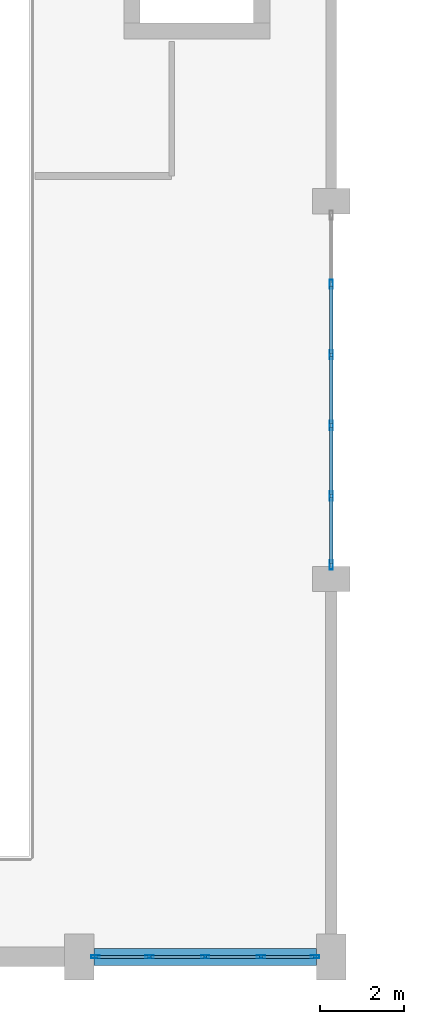
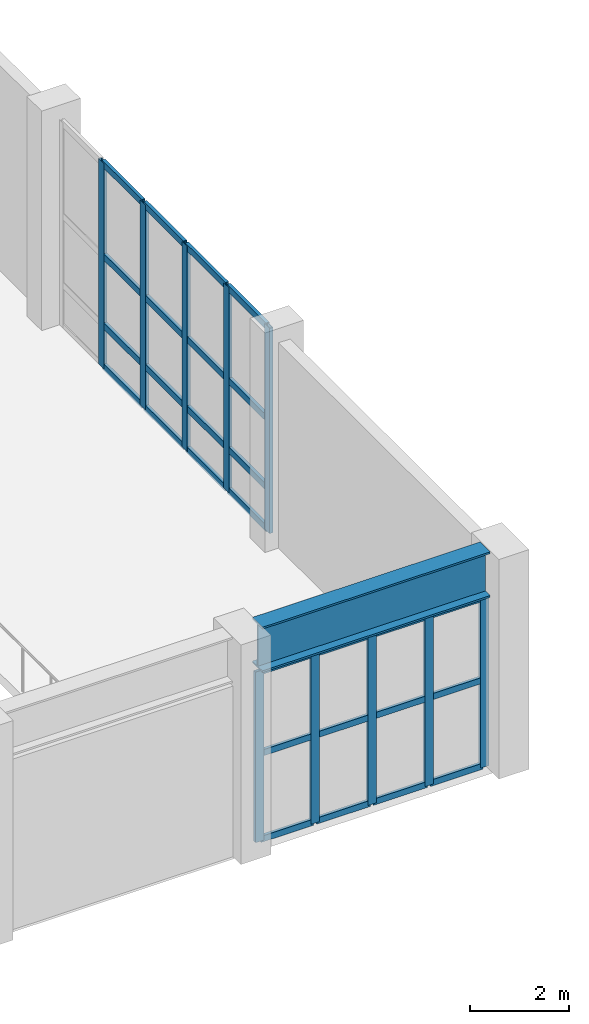
# One storey, part 11 of 41: 38 members, 1 beam, 2 elements without a shape of their own.
"""IFC4 building model written with IfcOpenShell, lengths in metres."""

from ifc_helpers import new_model, si_unit, direction, frame, origin, origin_2d, place, context, subcontext, project, spatial, hollow_rectangle, i_section, extrude, material, layer, layer_set, material_profile, profile_set, type_object, element, aggregate, save


model = new_model("IFC4")

# Units and contexts
model_context = context("Model", 3, precision=1e-05, world=origin(), true_north=direction((0.0, 1.0)))
body_context = subcontext(model_context, "Body", "Model", "MODEL_VIEW")
ifc_project = project(units=[si_unit("LENGTHUNIT", "METRE"), si_unit("AREAUNIT", "SQUARE_METRE"), si_unit("VOLUMEUNIT", "CUBIC_METRE"), si_unit("PLANEANGLEUNIT", "RADIAN"), si_unit("MASSUNIT", "GRAM", prefix="KILO")], contexts=[model_context])

# Site, building, storey
site_placement = place(None, origin())
site = spatial("IfcSite", under=ifc_project, at=site_placement, CompositionType="ELEMENT")
building_placement = place(site_placement, origin())
building = spatial("IfcBuilding", under=site, at=building_placement, Name="Vaelkrest Opera House", CompositionType="ELEMENT")
storey_placement = place(building_placement, frame((0.0, 0.0, 24.60009765625)))
storey = spatial("IfcBuildingStorey", under=building, at=storey_placement, Name="L05", CompositionType="ELEMENT", Elevation=24.60009765625)

# Curtain wall, members
ifc_material_1 = material(Name="Dark bronze anodized aluminium", Category="aluminium")
ifc_layer_1 = layer(ifc_material_1, 0.18994140625)
ifc_layer_set_1 = layer_set([ifc_layer_1], Name="Dark bronze anodized aluminium")
curtain_wall_type_1 = type_object("IfcCurtainWallType", Name="CW02", PredefinedType="NOTDEFINED", material=ifc_layer_set_1)
curtain_wall_1_placement = place(storey_placement, origin())
curtain_wall_1 = element("IfcCurtainWall", 1, at=curtain_wall_1_placement, inside=storey, type_object=curtain_wall_type_1, Name="Curtain wall CW-L05-068", PredefinedType="NOTDEFINED")
ifc_material_profile_1 = material_profile(ifc_material_1, hollow_rectangle(XDim=0.070068359375, YDim=0.199951171875, WallThickness=0.004150390625, at=origin_2d()), Name="CWM70X200")
ifc_profile_set_1 = profile_set([ifc_material_profile_1], Name="Dark bronze anodized aluminium")
member_type_1 = type_object("IfcMemberType", Name="CWM02", PredefinedType="MULLION", material=ifc_profile_set_1)
member_1_placement = place(storey_placement, frame((29.616943359375, -55.800048828125, 0.0), z_axis=(0.0, 0.0, 1.0), x_axis=(0.0, -1.0, 0.0)))
member_1 = element("IfcMember", 2, at=member_1_placement, type_object=member_type_1, Name="CW02 mullion 1", PredefinedType="MULLION", context=body_context, shape_type="SweptSolid", body=[
    extrude(hollow_rectangle(XDim=0.070068359375, YDim=0.199951171875, WallThickness=0.004150390625, at=origin_2d()), origin(), (0.0, 0.0, 1.0), 4.197021484375),
])
member_2_placement = place(storey_placement, frame((28.325927734375, -55.800048828125, 0.0), z_axis=(0.0, 0.0, 1.0), x_axis=(0.0, -1.0, 0.0)))
member_2 = element("IfcMember", 3, at=member_2_placement, type_object=member_type_1, Name="CW02 mullion 2", PredefinedType="MULLION", context=body_context, shape_type="SweptSolid", body=[
    extrude(hollow_rectangle(XDim=0.070068359375, YDim=0.199951171875, WallThickness=0.004150390625, at=origin_2d()), origin(), (0.0, 0.0, 1.0), 4.197021484375),
])
member_3_placement = place(storey_placement, frame((27.0, -55.800048828125, 0.0), z_axis=(0.0, 0.0, 1.0), x_axis=(0.0, -1.0, 0.0)))
member_3 = element("IfcMember", 4, at=member_3_placement, type_object=member_type_1, Name="CW02 mullion 3", PredefinedType="MULLION", context=body_context, shape_type="SweptSolid", body=[
    extrude(hollow_rectangle(XDim=0.070068359375, YDim=0.199951171875, WallThickness=0.004150390625, at=origin_2d()), origin(), (0.0, 0.0, 1.0), 4.197021484375),
])
member_4_placement = place(storey_placement, frame((25.674072265625, -55.800048828125, 0.0), z_axis=(0.0, 0.0, 1.0), x_axis=(0.0, -1.0, 0.0)))
member_4 = element("IfcMember", 5, at=member_4_placement, type_object=member_type_1, Name="CW02 mullion 4", PredefinedType="MULLION", context=body_context, shape_type="SweptSolid", body=[
    extrude(hollow_rectangle(XDim=0.070068359375, YDim=0.199951171875, WallThickness=0.004150390625, at=origin_2d()), origin(), (0.0, 0.0, 1.0), 4.197021484375),
])
member_5_placement = place(storey_placement, frame((24.383056640625, -55.800048828125, 0.0), z_axis=(0.0, 0.0, 1.0), x_axis=(0.0, -1.0, 0.0)))
member_5 = element("IfcMember", 6, at=member_5_placement, type_object=member_type_1, Name="CW02 mullion 5", PredefinedType="MULLION", context=body_context, shape_type="SweptSolid", body=[
    extrude(hollow_rectangle(XDim=0.070068359375, YDim=0.199951171875, WallThickness=0.004150390625, at=origin_2d()), origin(), (0.0, 0.0, 1.0), 4.197021484375),
])

ifc_layer_2 = layer(ifc_material_1, 0.199951171875)
ifc_layer_set_2 = layer_set([ifc_layer_2], Name="Dark bronze anodized aluminium")
curtain_wall_type_2 = type_object("IfcCurtainWallType", Name="CW03", PredefinedType="NOTDEFINED", material=ifc_layer_set_2)
curtain_wall_2_placement = place(storey_placement, origin())
curtain_wall_2 = element("IfcCurtainWall", 7, at=curtain_wall_2_placement, inside=storey, type_object=curtain_wall_type_2, Name="Curtain wall CW-L05-080", PredefinedType="NOTDEFINED")
ifc_material_profile_2 = material_profile(ifc_material_1, hollow_rectangle(XDim=0.074951171875, YDim=0.219970703125, WallThickness=0.00439453125, at=origin_2d()), Name="CWM75X220")
ifc_profile_set_2 = profile_set([ifc_material_profile_2], Name="Dark bronze anodized aluminium")
member_type_2 = type_object("IfcMemberType", Name="CWM03", PredefinedType="MULLION", material=ifc_profile_set_2)
member_6_placement = place(storey_placement, frame((30.0, -39.77880859375, 0.0), z_axis=(0.0, 0.0, 1.0), x_axis=(1.0, 0.0, 0.0)))
member_6 = element("IfcMember", 8, at=member_6_placement, type_object=member_type_2, Name="CW03 mullion 2", PredefinedType="MULLION", context=body_context, shape_type="SweptSolid", body=[
    extrude(hollow_rectangle(XDim=0.074951171875, YDim=0.219970703125, WallThickness=0.00439453125, at=origin_2d()), origin(), (0.0, 0.0, 1.0), 5.0498046875),
])
member_7_placement = place(storey_placement, frame((30.0, -41.459716796875, 0.0), z_axis=(0.0, 0.0, 1.0), x_axis=(1.0, 0.0, 0.0)))
member_7 = element("IfcMember", 9, at=member_7_placement, type_object=member_type_2, Name="CW03 mullion 3", PredefinedType="MULLION", context=body_context, shape_type="SweptSolid", body=[
    extrude(hollow_rectangle(XDim=0.074951171875, YDim=0.219970703125, WallThickness=0.00439453125, at=origin_2d()), origin(), (0.0, 0.0, 1.0), 5.0498046875),
])
member_8_placement = place(storey_placement, frame((30.0, -43.140380859375, 0.0), z_axis=(0.0, 0.0, 1.0), x_axis=(1.0, 0.0, 0.0)))
member_8 = element("IfcMember", 10, at=member_8_placement, type_object=member_type_2, Name="CW03 mullion 4", PredefinedType="MULLION", context=body_context, shape_type="SweptSolid", body=[
    extrude(hollow_rectangle(XDim=0.074951171875, YDim=0.219970703125, WallThickness=0.00439453125, at=origin_2d()), origin(), (0.0, 0.0, 1.0), 5.0498046875),
])
member_9_placement = place(storey_placement, frame((30.0, -44.8212890625, 0.0), z_axis=(0.0, 0.0, 1.0), x_axis=(1.0, 0.0, 0.0)))
member_9 = element("IfcMember", 11, at=member_9_placement, type_object=member_type_2, Name="CW03 mullion 5", PredefinedType="MULLION", context=body_context, shape_type="SweptSolid", body=[
    extrude(hollow_rectangle(XDim=0.074951171875, YDim=0.219970703125, WallThickness=0.00439453125, at=origin_2d()), origin(), (0.0, 0.0, 1.0), 5.0498046875),
])
member_10_placement = place(storey_placement, frame((30.0, -46.464599609375, 0.0), z_axis=(0.0, 0.0, 1.0), x_axis=(1.0, 0.0, 0.0)))
member_10 = element("IfcMember", 12, at=member_10_placement, type_object=member_type_2, Name="CW03 mullion 6", PredefinedType="MULLION", context=body_context, shape_type="SweptSolid", body=[
    extrude(hollow_rectangle(XDim=0.074951171875, YDim=0.219970703125, WallThickness=0.00439453125, at=origin_2d()), origin(), (0.0, 0.0, 1.0), 5.0498046875),
])

# Member
ifc_material_profile_3 = material_profile(ifc_material_1, hollow_rectangle(XDim=0.070068359375, YDim=0.14990234375, WallThickness=0.004150390625, at=origin_2d()), Name="CWT70X150")
ifc_profile_set_3 = profile_set([ifc_material_profile_3], Name="Dark bronze anodized aluminium")
member_type_3 = type_object("IfcMemberType", Name="CWT02", PredefinedType="USERDEFINED", material=ifc_profile_set_3)
member_11_placement = place(storey_placement, frame((29.58203125, -55.800048828125, 0.034912109375), z_axis=(-1.0, 0.0, 0.0), x_axis=(0.0, -1.0, 0.0)))
member_11 = element("IfcMember", 13, at=member_11_placement, type_object=member_type_3, Name="CW02 transom 1.1", ObjectType="TRANSOM", PredefinedType="USERDEFINED", context=body_context, shape_type="SweptSolid", body=[
    extrude(hollow_rectangle(XDim=0.070068359375, YDim=0.14990234375, WallThickness=0.004150390625, at=origin_2d()), origin(), (0.0, 0.0, 1.0), 1.220947265625),
])

member_12_placement = place(storey_placement, frame((29.58203125, -55.800048828125, 2.14990234375), z_axis=(-1.0, 0.0, 0.0), x_axis=(0.0, -1.0, 0.0)))
member_12 = element("IfcMember", 14, at=member_12_placement, type_object=member_type_3, Name="CW02 transom 1.2", ObjectType="TRANSOM", PredefinedType="USERDEFINED", context=body_context, shape_type="SweptSolid", body=[
    extrude(hollow_rectangle(XDim=0.070068359375, YDim=0.14990234375, WallThickness=0.004150390625, at=origin_2d()), origin(), (0.0, 0.0, 1.0), 1.220947265625),
])

member_13_placement = place(storey_placement, frame((29.58203125, -55.800048828125, 4.161865234375), z_axis=(-1.0, 0.0, 0.0), x_axis=(0.0, -1.0, 0.0)))
member_13 = element("IfcMember", 15, at=member_13_placement, type_object=member_type_3, Name="CW02 transom 1.3", ObjectType="TRANSOM", PredefinedType="USERDEFINED", context=body_context, shape_type="SweptSolid", body=[
    extrude(hollow_rectangle(XDim=0.070068359375, YDim=0.14990234375, WallThickness=0.004150390625, at=origin_2d()), origin(), (0.0, 0.0, 1.0), 1.220947265625),
])

member_14_placement = place(storey_placement, frame((28.291015625, -55.800048828125, 0.034912109375), z_axis=(-1.0, 0.0, 0.0), x_axis=(0.0, -1.0, 0.0)))
member_14 = element("IfcMember", 16, at=member_14_placement, type_object=member_type_3, Name="CW02 transom 2.1", ObjectType="TRANSOM", PredefinedType="USERDEFINED", context=body_context, shape_type="SweptSolid", body=[
    extrude(hollow_rectangle(XDim=0.070068359375, YDim=0.14990234375, WallThickness=0.004150390625, at=origin_2d()), origin(), (0.0, 0.0, 1.0), 1.256103515625),
])

member_15_placement = place(storey_placement, frame((28.291015625, -55.800048828125, 2.14990234375), z_axis=(-1.0, 0.0, 0.0), x_axis=(0.0, -1.0, 0.0)))
member_15 = element("IfcMember", 17, at=member_15_placement, type_object=member_type_3, Name="CW02 transom 2.2", ObjectType="TRANSOM", PredefinedType="USERDEFINED", context=body_context, shape_type="SweptSolid", body=[
    extrude(hollow_rectangle(XDim=0.070068359375, YDim=0.14990234375, WallThickness=0.004150390625, at=origin_2d()), origin(), (0.0, 0.0, 1.0), 1.256103515625),
])

member_16_placement = place(storey_placement, frame((28.291015625, -55.800048828125, 4.161865234375), z_axis=(-1.0, 0.0, 0.0), x_axis=(0.0, -1.0, 0.0)))
member_16 = element("IfcMember", 18, at=member_16_placement, type_object=member_type_3, Name="CW02 transom 2.3", ObjectType="TRANSOM", PredefinedType="USERDEFINED", context=body_context, shape_type="SweptSolid", body=[
    extrude(hollow_rectangle(XDim=0.070068359375, YDim=0.14990234375, WallThickness=0.004150390625, at=origin_2d()), origin(), (0.0, 0.0, 1.0), 1.256103515625),
])

member_17_placement = place(storey_placement, frame((26.965087890625, -55.800048828125, 0.034912109375), z_axis=(-1.0, 0.0, 0.0), x_axis=(0.0, -1.0, 0.0)))
member_17 = element("IfcMember", 19, at=member_17_placement, type_object=member_type_3, Name="CW02 transom 3.1", ObjectType="TRANSOM", PredefinedType="USERDEFINED", context=body_context, shape_type="SweptSolid", body=[
    extrude(hollow_rectangle(XDim=0.070068359375, YDim=0.14990234375, WallThickness=0.004150390625, at=origin_2d()), origin(), (0.0, 0.0, 1.0), 1.256103515625),
])

member_18_placement = place(storey_placement, frame((26.965087890625, -55.800048828125, 2.14990234375), z_axis=(-1.0, 0.0, 0.0), x_axis=(0.0, -1.0, 0.0)))
member_18 = element("IfcMember", 20, at=member_18_placement, type_object=member_type_3, Name="CW02 transom 3.2", ObjectType="TRANSOM", PredefinedType="USERDEFINED", context=body_context, shape_type="SweptSolid", body=[
    extrude(hollow_rectangle(XDim=0.070068359375, YDim=0.14990234375, WallThickness=0.004150390625, at=origin_2d()), origin(), (0.0, 0.0, 1.0), 1.256103515625),
])

member_19_placement = place(storey_placement, frame((26.965087890625, -55.800048828125, 4.161865234375), z_axis=(-1.0, 0.0, 0.0), x_axis=(0.0, -1.0, 0.0)))
member_19 = element("IfcMember", 21, at=member_19_placement, type_object=member_type_3, Name="CW02 transom 3.3", ObjectType="TRANSOM", PredefinedType="USERDEFINED", context=body_context, shape_type="SweptSolid", body=[
    extrude(hollow_rectangle(XDim=0.070068359375, YDim=0.14990234375, WallThickness=0.004150390625, at=origin_2d()), origin(), (0.0, 0.0, 1.0), 1.256103515625),
])

member_20_placement = place(storey_placement, frame((25.638916015625, -55.800048828125, 0.034912109375), z_axis=(-1.0, 0.0, 0.0), x_axis=(0.0, -1.0, 0.0)))
member_20 = element("IfcMember", 22, at=member_20_placement, type_object=member_type_3, Name="CW02 transom 4.1", ObjectType="TRANSOM", PredefinedType="USERDEFINED", context=body_context, shape_type="SweptSolid", body=[
    extrude(hollow_rectangle(XDim=0.070068359375, YDim=0.14990234375, WallThickness=0.004150390625, at=origin_2d()), origin(), (0.0, 0.0, 1.0), 1.220947265625),
])

member_21_placement = place(storey_placement, frame((25.638916015625, -55.800048828125, 2.14990234375), z_axis=(-1.0, 0.0, 0.0), x_axis=(0.0, -1.0, 0.0)))
member_21 = element("IfcMember", 23, at=member_21_placement, type_object=member_type_3, Name="CW02 transom 4.2", ObjectType="TRANSOM", PredefinedType="USERDEFINED", context=body_context, shape_type="SweptSolid", body=[
    extrude(hollow_rectangle(XDim=0.070068359375, YDim=0.14990234375, WallThickness=0.004150390625, at=origin_2d()), origin(), (0.0, 0.0, 1.0), 1.220947265625),
])

member_22_placement = place(storey_placement, frame((25.638916015625, -55.800048828125, 4.161865234375), z_axis=(-1.0, 0.0, 0.0), x_axis=(0.0, -1.0, 0.0)))
member_22 = element("IfcMember", 24, at=member_22_placement, type_object=member_type_3, Name="CW02 transom 4.3", ObjectType="TRANSOM", PredefinedType="USERDEFINED", context=body_context, shape_type="SweptSolid", body=[
    extrude(hollow_rectangle(XDim=0.070068359375, YDim=0.14990234375, WallThickness=0.004150390625, at=origin_2d()), origin(), (0.0, 0.0, 1.0), 1.220947265625),
])

aggregate(curtain_wall_1, [member_1, member_2, member_3, member_4, member_5, member_11, member_12, member_13, member_14, member_15, member_16, member_17, member_18, member_19, member_20, member_21, member_22])

ifc_material_profile_4 = material_profile(ifc_material_1, hollow_rectangle(XDim=0.074951171875, YDim=0.159912109375, WallThickness=0.00439453125, at=origin_2d()), Name="CWT75X160")
ifc_profile_set_4 = profile_set([ifc_material_profile_4], Name="Dark bronze anodized aluminium")
member_type_4 = type_object("IfcMemberType", Name="CWT03", PredefinedType="USERDEFINED", material=ifc_profile_set_4)
member_23_placement = place(storey_placement, frame((30.0, -39.81640625, 0.037353515625), z_axis=(0.0, -1.0, 0.0), x_axis=(1.0, 0.0, 0.0)))
member_23 = element("IfcMember", 25, at=member_23_placement, type_object=member_type_4, Name="CW03 transom 2.1", ObjectType="TRANSOM", PredefinedType="USERDEFINED", context=body_context, shape_type="SweptSolid", body=[
    extrude(hollow_rectangle(XDim=0.074951171875, YDim=0.159912109375, WallThickness=0.00439453125, at=origin_2d()), origin(), (0.0, 0.0, 1.0), 1.605712890625),
])

member_24_placement = place(storey_placement, frame((30.0, -39.81640625, 1.0498046875), z_axis=(0.0, -1.0, 0.0), x_axis=(1.0, 0.0, 0.0)))
member_24 = element("IfcMember", 26, at=member_24_placement, type_object=member_type_4, Name="CW03 transom 2.2", ObjectType="TRANSOM", PredefinedType="USERDEFINED", context=body_context, shape_type="SweptSolid", body=[
    extrude(hollow_rectangle(XDim=0.074951171875, YDim=0.159912109375, WallThickness=0.00439453125, at=origin_2d()), origin(), (0.0, 0.0, 1.0), 1.605712890625),
])

member_25_placement = place(storey_placement, frame((30.0, -39.81640625, 2.75), z_axis=(0.0, -1.0, 0.0), x_axis=(1.0, 0.0, 0.0)))
member_25 = element("IfcMember", 27, at=member_25_placement, type_object=member_type_4, Name="CW03 transom 2.3", ObjectType="TRANSOM", PredefinedType="USERDEFINED", context=body_context, shape_type="SweptSolid", body=[
    extrude(hollow_rectangle(XDim=0.074951171875, YDim=0.159912109375, WallThickness=0.00439453125, at=origin_2d()), origin(), (0.0, 0.0, 1.0), 1.605712890625),
])

member_26_placement = place(storey_placement, frame((30.0, -39.81640625, 5.012451171875), z_axis=(0.0, -1.0, 0.0), x_axis=(1.0, 0.0, 0.0)))
member_26 = element("IfcMember", 28, at=member_26_placement, type_object=member_type_4, Name="CW03 transom 2.4", ObjectType="TRANSOM", PredefinedType="USERDEFINED", context=body_context, shape_type="SweptSolid", body=[
    extrude(hollow_rectangle(XDim=0.074951171875, YDim=0.159912109375, WallThickness=0.00439453125, at=origin_2d()), origin(), (0.0, 0.0, 1.0), 1.605712890625),
])

member_27_placement = place(storey_placement, frame((30.0, -41.4970703125, 0.037353515625), z_axis=(0.0, -1.0, 0.0), x_axis=(1.0, 0.0, 0.0)))
member_27 = element("IfcMember", 29, at=member_27_placement, type_object=member_type_4, Name="CW03 transom 3.1", ObjectType="TRANSOM", PredefinedType="USERDEFINED", context=body_context, shape_type="SweptSolid", body=[
    extrude(hollow_rectangle(XDim=0.074951171875, YDim=0.159912109375, WallThickness=0.00439453125, at=origin_2d()), origin(), (0.0, 0.0, 1.0), 1.605712890625),
])

member_28_placement = place(storey_placement, frame((30.0, -41.4970703125, 1.0498046875), z_axis=(0.0, -1.0, 0.0), x_axis=(1.0, 0.0, 0.0)))
member_28 = element("IfcMember", 30, at=member_28_placement, type_object=member_type_4, Name="CW03 transom 3.2", ObjectType="TRANSOM", PredefinedType="USERDEFINED", context=body_context, shape_type="SweptSolid", body=[
    extrude(hollow_rectangle(XDim=0.074951171875, YDim=0.159912109375, WallThickness=0.00439453125, at=origin_2d()), origin(), (0.0, 0.0, 1.0), 1.605712890625),
])

member_29_placement = place(storey_placement, frame((30.0, -41.4970703125, 2.75), z_axis=(0.0, -1.0, 0.0), x_axis=(1.0, 0.0, 0.0)))
member_29 = element("IfcMember", 31, at=member_29_placement, type_object=member_type_4, Name="CW03 transom 3.3", ObjectType="TRANSOM", PredefinedType="USERDEFINED", context=body_context, shape_type="SweptSolid", body=[
    extrude(hollow_rectangle(XDim=0.074951171875, YDim=0.159912109375, WallThickness=0.00439453125, at=origin_2d()), origin(), (0.0, 0.0, 1.0), 1.605712890625),
])

member_30_placement = place(storey_placement, frame((30.0, -41.4970703125, 5.012451171875), z_axis=(0.0, -1.0, 0.0), x_axis=(1.0, 0.0, 0.0)))
member_30 = element("IfcMember", 32, at=member_30_placement, type_object=member_type_4, Name="CW03 transom 3.4", ObjectType="TRANSOM", PredefinedType="USERDEFINED", context=body_context, shape_type="SweptSolid", body=[
    extrude(hollow_rectangle(XDim=0.074951171875, YDim=0.159912109375, WallThickness=0.00439453125, at=origin_2d()), origin(), (0.0, 0.0, 1.0), 1.605712890625),
])

member_31_placement = place(storey_placement, frame((30.0, -43.177978515625, 0.037353515625), z_axis=(0.0, -1.0, 0.0), x_axis=(1.0, 0.0, 0.0)))
member_31 = element("IfcMember", 33, at=member_31_placement, type_object=member_type_4, Name="CW03 transom 4.1", ObjectType="TRANSOM", PredefinedType="USERDEFINED", context=body_context, shape_type="SweptSolid", body=[
    extrude(hollow_rectangle(XDim=0.074951171875, YDim=0.159912109375, WallThickness=0.00439453125, at=origin_2d()), origin(), (0.0, 0.0, 1.0), 1.605712890625),
])

member_32_placement = place(storey_placement, frame((30.0, -43.177978515625, 1.0498046875), z_axis=(0.0, -1.0, 0.0), x_axis=(1.0, 0.0, 0.0)))
member_32 = element("IfcMember", 34, at=member_32_placement, type_object=member_type_4, Name="CW03 transom 4.2", ObjectType="TRANSOM", PredefinedType="USERDEFINED", context=body_context, shape_type="SweptSolid", body=[
    extrude(hollow_rectangle(XDim=0.074951171875, YDim=0.159912109375, WallThickness=0.00439453125, at=origin_2d()), origin(), (0.0, 0.0, 1.0), 1.605712890625),
])

member_33_placement = place(storey_placement, frame((30.0, -43.177978515625, 2.75), z_axis=(0.0, -1.0, 0.0), x_axis=(1.0, 0.0, 0.0)))
member_33 = element("IfcMember", 35, at=member_33_placement, type_object=member_type_4, Name="CW03 transom 4.3", ObjectType="TRANSOM", PredefinedType="USERDEFINED", context=body_context, shape_type="SweptSolid", body=[
    extrude(hollow_rectangle(XDim=0.074951171875, YDim=0.159912109375, WallThickness=0.00439453125, at=origin_2d()), origin(), (0.0, 0.0, 1.0), 1.605712890625),
])

member_34_placement = place(storey_placement, frame((30.0, -43.177978515625, 5.012451171875), z_axis=(0.0, -1.0, 0.0), x_axis=(1.0, 0.0, 0.0)))
member_34 = element("IfcMember", 36, at=member_34_placement, type_object=member_type_4, Name="CW03 transom 4.4", ObjectType="TRANSOM", PredefinedType="USERDEFINED", context=body_context, shape_type="SweptSolid", body=[
    extrude(hollow_rectangle(XDim=0.074951171875, YDim=0.159912109375, WallThickness=0.00439453125, at=origin_2d()), origin(), (0.0, 0.0, 1.0), 1.605712890625),
])

member_35_placement = place(storey_placement, frame((30.0, -44.858642578125, 0.037353515625), z_axis=(0.0, -1.0, 0.0), x_axis=(1.0, 0.0, 0.0)))
member_35 = element("IfcMember", 37, at=member_35_placement, type_object=member_type_4, Name="CW03 transom 5.1", ObjectType="TRANSOM", PredefinedType="USERDEFINED", context=body_context, shape_type="SweptSolid", body=[
    extrude(hollow_rectangle(XDim=0.074951171875, YDim=0.159912109375, WallThickness=0.00439453125, at=origin_2d()), origin(), (0.0, 0.0, 1.0), 1.568359375),
])

member_36_placement = place(storey_placement, frame((30.0, -44.858642578125, 1.0498046875), z_axis=(0.0, -1.0, 0.0), x_axis=(1.0, 0.0, 0.0)))
member_36 = element("IfcMember", 38, at=member_36_placement, type_object=member_type_4, Name="CW03 transom 5.2", ObjectType="TRANSOM", PredefinedType="USERDEFINED", context=body_context, shape_type="SweptSolid", body=[
    extrude(hollow_rectangle(XDim=0.074951171875, YDim=0.159912109375, WallThickness=0.00439453125, at=origin_2d()), origin(), (0.0, 0.0, 1.0), 1.568359375),
])

member_37_placement = place(storey_placement, frame((30.0, -44.858642578125, 2.75), z_axis=(0.0, -1.0, 0.0), x_axis=(1.0, 0.0, 0.0)))
member_37 = element("IfcMember", 39, at=member_37_placement, type_object=member_type_4, Name="CW03 transom 5.3", ObjectType="TRANSOM", PredefinedType="USERDEFINED", context=body_context, shape_type="SweptSolid", body=[
    extrude(hollow_rectangle(XDim=0.074951171875, YDim=0.159912109375, WallThickness=0.00439453125, at=origin_2d()), origin(), (0.0, 0.0, 1.0), 1.568359375),
])

member_38_placement = place(storey_placement, frame((30.0, -44.858642578125, 5.012451171875), z_axis=(0.0, -1.0, 0.0), x_axis=(1.0, 0.0, 0.0)))
member_38 = element("IfcMember", 40, at=member_38_placement, type_object=member_type_4, Name="CW03 transom 5.4", ObjectType="TRANSOM", PredefinedType="USERDEFINED", context=body_context, shape_type="SweptSolid", body=[
    extrude(hollow_rectangle(XDim=0.074951171875, YDim=0.159912109375, WallThickness=0.00439453125, at=origin_2d()), origin(), (0.0, 0.0, 1.0), 1.568359375),
])

aggregate(curtain_wall_2, [member_6, member_7, member_8, member_9, member_10, member_23, member_24, member_25, member_26, member_27, member_28, member_29, member_30, member_31, member_32, member_33, member_34, member_35, member_36, member_37, member_38])

# Beam
ifc_material_2 = material(Name="Steel A992 Gr50", Category="steel")
ifc_material_profile_5 = material_profile(ifc_material_2, i_section(OverallWidth=0.405029296875, OverallDepth=1.117919921875, WebThickness=0.02587890625, FlangeThickness=0.044921875, at=origin_2d()), Name="W44X335")
ifc_profile_set_5 = profile_set([ifc_material_profile_5], Name="Steel A992 Gr50")
beam_type = type_object("IfcBeamType", Name="SP05", PredefinedType="SPANDREL", material=ifc_profile_set_5)
beam_placement = place(storey_placement, frame((24.35009765625, -55.800048828125, 4.82080078125), z_axis=(1.0, 0.0, 0.0), x_axis=(0.0, 1.0, 0.0)))
element("IfcBeam", 41, at=beam_placement, inside=storey, type_object=beam_type, Name="Beam BM-V1-L05-0636", PredefinedType="SPANDREL", context=body_context, shape_type="SweptSolid", body=[
    extrude(i_section(OverallWidth=0.405029296875, OverallDepth=1.117919921875, WebThickness=0.02587890625, FlangeThickness=0.044921875, at=origin_2d()), origin(), (0.0, 0.0, 1.0), 5.2998046875),
])

save(model, "model.ifc")
